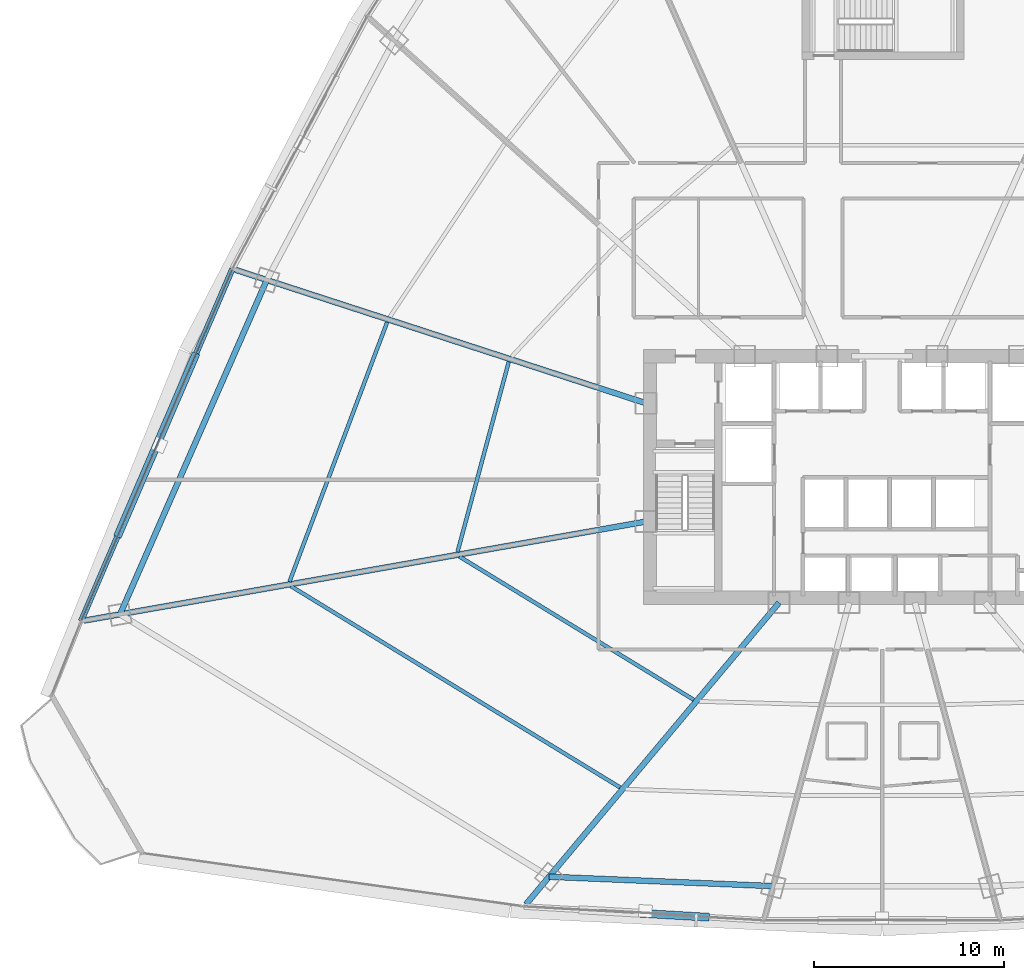
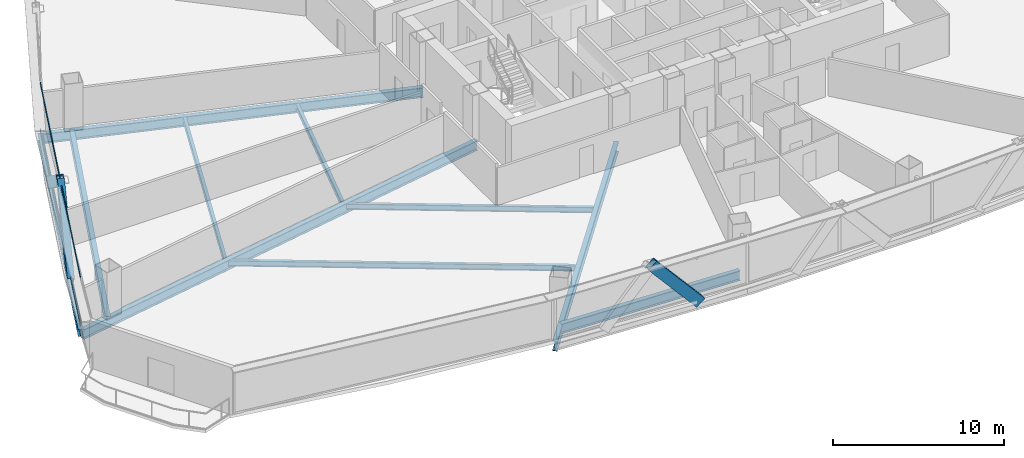
# One storey, part 7 of 38: 10 beams, 5 members, 1 element without a shape of its own.
"""IFC4 building model written with IfcOpenShell, lengths in metres."""

from ifc_helpers import new_model, si_unit, direction, frame, origin, origin_2d, place, context, subcontext, project, spatial, hollow_rectangle, i_section, extrude, source, transform, mapped, material, layer, layer_set, material_profile, profile_set, type_object, element, aggregate, save


model = new_model("IFC4")

# Units and contexts
model_context = context("Model", 3, precision=1e-05, world=origin(), true_north=direction((0.0, 1.0)))
body_context = subcontext(model_context, "Body", "Model", "MODEL_VIEW")
ifc_project = project(units=[si_unit("LENGTHUNIT", "METRE"), si_unit("AREAUNIT", "SQUARE_METRE"), si_unit("VOLUMEUNIT", "CUBIC_METRE"), si_unit("PLANEANGLEUNIT", "RADIAN"), si_unit("MASSUNIT", "GRAM", prefix="KILO"), si_unit("THERMODYNAMICTEMPERATUREUNIT", "KELVIN"), si_unit("POWERUNIT", "WATT")], contexts=[model_context])

# Site, building, storey
site_placement = place(None, origin())
site = spatial("IfcSite", under=ifc_project, at=site_placement, CompositionType="ELEMENT")
building_placement = place(site_placement, origin())
building = spatial("IfcBuilding", under=site, at=building_placement, Name="Yunzhuo Pagoda Commons", CompositionType="ELEMENT")
storey_placement = place(building_placement, frame((0.0, 0.0, 37.659912109375)))
storey = spatial("IfcBuildingStorey", under=building, at=storey_placement, Name="L09", CompositionType="ELEMENT", Elevation=37.659912109375)

# Beams
ifc_material_1 = material(Name="Structural steel Q355B", Category="steel")
ifc_material_profile_1 = material_profile(ifc_material_1, i_section(OverallWidth=0.300048828125, OverallDepth=0.699951171875, WebThickness=0.012939453125, FlangeThickness=0.02392578125, at=origin_2d()), Name="Structural steel Q355B")
ifc_profile_set_1 = profile_set([ifc_material_profile_1], Name="Structural steel Q355B")
beam_type_1 = type_object("IfcBeamType", Name="B-RG1 Beam HN 700x300x13x24", PredefinedType="BEAM", material=ifc_profile_set_1)
shared_shape_1 = source(origin(), body_context, "Body", "SweptSolid", [
    extrude(i_section(OverallWidth=0.300048828125, OverallDepth=0.699951171875, WebThickness=0.012939453125, FlangeThickness=0.02392578125, at=origin_2d()), origin(), (0.0, 0.0, 1.0), 11.7900390625),
])
beam_1_placement = place(storey_placement, frame((30.5, 12.844482421875, -0.60986328125), z_axis=(0.99912739354, -0.041766631146, 0.0), x_axis=(0.041766631146, 0.99912739354, 0.0)))
element("IfcBeam", 1, at=beam_1_placement, inside=storey, type_object=beam_type_1, Name="L09 column-ring beam 1", PredefinedType="BEAM", context=body_context, shape_type="MappedRepresentation", body=[
    mapped(shared_shape_1, transform((0.0, 0.0, 0.0), scale=1.0)),
])
shared_shape_2 = source(origin(), body_context, "Body", "SweptSolid", [
    extrude(i_section(OverallWidth=0.300048828125, OverallDepth=0.699951171875, WebThickness=0.012939453125, FlangeThickness=0.02392578125, at=origin_2d()), origin(), (0.0, 0.0, 1.0), 19.18603515625),
])
beam_2_placement = place(storey_placement, frame((15.66455078125, 44.206298828125, -0.60986328125), z_axis=(-0.40196534204, -0.915654882474, 0.0), x_axis=(0.915654882474, -0.40196534204, 0.0)))
element("IfcBeam", 2, at=beam_2_placement, inside=storey, type_object=beam_type_1, Name="L09 column-ring beam 11", PredefinedType="BEAM", context=body_context, shape_type="MappedRepresentation", body=[
    mapped(shared_shape_2, transform((0.0, 0.0, 0.0), scale=1.0)),
])
shared_shape_3 = source(origin(), body_context, "Body", "SweptSolid", [
    extrude(i_section(OverallWidth=0.300048828125, OverallDepth=0.699951171875, WebThickness=0.012939453125, FlangeThickness=0.02392578125, at=origin_2d()), origin(), (0.0, 0.0, 1.0), 20.693115234375),
])
beam_3_placement = place(storey_placement, frame((29.28662109375, 11.398193359375, -0.60986328125), z_axis=(0.642788302359, 0.766043861897, 0.0), x_axis=(-0.766043861897, 0.642788302359, 0.0)))
element("IfcBeam", 3, at=beam_3_placement, inside=storey, type_object=beam_type_1, Name="L09 radial floor girder F1C1", PredefinedType="BEAM", context=body_context, shape_type="MappedRepresentation", body=[
    mapped(shared_shape_3, transform((0.0, 0.0, 0.0), scale=1.0)),
])
shared_shape_4 = source(origin(), body_context, "Body", "SweptSolid", [
    extrude(i_section(OverallWidth=0.300048828125, OverallDepth=0.699951171875, WebThickness=0.012939453125, FlangeThickness=0.02392578125, at=origin_2d()), origin(), (0.0, 0.0, 1.0), 30.001708984375),
])
beam_4_placement = place(storey_placement, frame((6.05419921875, 26.3037109375, -0.60986328125), z_axis=(0.984807879934, 0.173647457857, 0.0), x_axis=(-0.173647457857, 0.984807879934, 0.0)))
element("IfcBeam", 4, at=beam_4_placement, inside=storey, type_object=beam_type_1, Name="L09 radial floor girder F3C4", PredefinedType="BEAM", context=body_context, shape_type="MappedRepresentation", body=[
    mapped(shared_shape_4, transform((0.0, 0.0, 0.0), scale=1.0)),
])
shared_shape_5 = source(origin(), body_context, "Body", "SweptSolid", [
    extrude(i_section(OverallWidth=0.300048828125, OverallDepth=0.699951171875, WebThickness=0.012939453125, FlangeThickness=0.02392578125, at=origin_2d()), origin(), (0.0, 0.0, 1.0), 22.70458984375),
])
beam_5_placement = place(storey_placement, frame((14.0068359375, 44.7451171875, -0.60986328125), z_axis=(0.951056034213, -0.309018478068, 0.0), x_axis=(0.309018478068, 0.951056034213, 0.0)))
element("IfcBeam", 5, at=beam_5_placement, inside=storey, type_object=beam_type_1, Name="L09 radial floor girder F3C3", PredefinedType="BEAM", context=body_context, shape_type="MappedRepresentation", body=[
    mapped(shared_shape_5, transform((0.0, 0.0, 0.0), scale=1.0)),
])
ifc_material_profile_2 = material_profile(ifc_material_1, i_section(OverallWidth=0.300048828125, OverallDepth=0.488037109375, WebThickness=0.010986328125, FlangeThickness=0.01806640625, at=origin_2d()), Name="Structural steel Q355B")
ifc_profile_set_2 = profile_set([ifc_material_profile_2], Name="Structural steel Q355B")
beam_type_2 = type_object("IfcBeamType", Name="B-SP1 Beam HM 488x300x11x18", PredefinedType="BEAM", material=ifc_profile_set_2)
shared_shape_6 = source(origin(), body_context, "Body", "SweptSolid", [
    extrude(i_section(OverallWidth=0.300048828125, OverallDepth=0.488037109375, WebThickness=0.010986328125, FlangeThickness=0.01806640625, at=origin_2d()), origin(), (0.0, 0.0, 1.0), 20.153564453125),
])
beam_6_placement = place(storey_placement, frame((13.859375, 44.79296875, -0.50390625), z_axis=(-0.39485772382, -0.918742280479, 0.0), x_axis=(0.918742280479, -0.39485772382, 0.0)))
element("IfcBeam", 6, at=beam_6_placement, inside=storey, type_object=beam_type_2, Name="L09 facade edge spandrel beam F3.3", PredefinedType="BEAM", context=body_context, shape_type="MappedRepresentation", body=[
    mapped(shared_shape_6, transform((0.0, 0.0, 0.0), scale=1.0)),
])
ifc_material_profile_3 = material_profile(ifc_material_1, i_section(OverallWidth=0.199951171875, OverallDepth=0.39990234375, WebThickness=0.008056640625, FlangeThickness=0.012939453125, at=origin_2d()), Name="Structural steel Q355B")
ifc_profile_set_3 = profile_set([ifc_material_profile_3], Name="Structural steel Q355B")
beam_type_3 = type_object("IfcBeamType", Name="B-JS1 Joist HN 400x200x8x13", PredefinedType="JOIST", material=ifc_profile_set_3)
shared_shape_7 = source(origin(), body_context, "Body", "SweptSolid", [
    extrude(i_section(OverallWidth=0.199951171875, OverallDepth=0.39990234375, WebThickness=0.008056640625, FlangeThickness=0.012939453125, at=origin_2d()), origin(), (0.0, 0.0, 1.0), 14.4365234375),
])
beam_7_placement = place(storey_placement, frame((25.782470703125, 29.675537109375, -0.4599609375), z_axis=(0.85325633277, -0.521491735876, 0.0), x_axis=(0.521491735876, 0.85325633277, 0.0)))
element("IfcBeam", 7, at=beam_7_placement, inside=storey, type_object=beam_type_3, Name="L09 composite ring joist 1.12", PredefinedType="JOIST", context=body_context, shape_type="MappedRepresentation", body=[
    mapped(shared_shape_7, transform((0.0, 0.0, 0.0), scale=1.0)),
])
shared_shape_8 = source(origin(), body_context, "Body", "SweptSolid", [
    extrude(i_section(OverallWidth=0.199951171875, OverallDepth=0.39990234375, WebThickness=0.008056640625, FlangeThickness=0.012939453125, at=origin_2d()), origin(), (0.0, 0.0, 1.0), 20.275634765625),
])
beam_8_placement = place(storey_placement, frame((16.935302734375, 28.11572265625, -0.4599609375), z_axis=(0.853102898066, -0.521742700295, 0.0), x_axis=(0.521742700295, 0.853102898066, 0.0)))
element("IfcBeam", 8, at=beam_8_placement, inside=storey, type_object=beam_type_3, Name="L09 composite ring joist 2.12", PredefinedType="JOIST", context=body_context, shape_type="MappedRepresentation", body=[
    mapped(shared_shape_8, transform((0.0, 0.0, 0.0), scale=1.0)),
])
shared_shape_9 = source(origin(), body_context, "Body", "SweptSolid", [
    extrude(i_section(OverallWidth=0.199951171875, OverallDepth=0.39990234375, WebThickness=0.008056640625, FlangeThickness=0.012939453125, at=origin_2d()), origin(), (0.0, 0.0, 1.0), 10.351806640625),
])
beam_9_placement = place(storey_placement, frame((28.3818359375, 39.9072265625, -0.4599609375), z_axis=(-0.260208595802, -0.965552425646, 0.0), x_axis=(0.965552425646, -0.260208595802, 0.0)))
element("IfcBeam", 9, at=beam_9_placement, inside=storey, type_object=beam_type_3, Name="L09 composite ring joist 1.11", PredefinedType="JOIST", context=body_context, shape_type="MappedRepresentation", body=[
    mapped(shared_shape_9, transform((0.0, 0.0, 0.0), scale=1.0)),
])
shared_shape_10 = source(origin(), body_context, "Body", "SweptSolid", [
    extrude(i_section(OverallWidth=0.199951171875, OverallDepth=0.39990234375, WebThickness=0.008056640625, FlangeThickness=0.012939453125, at=origin_2d()), origin(), (0.0, 0.0, 1.0), 14.571044921875),
])
beam_10_placement = place(storey_placement, frame((21.98779296875, 41.98486328125, -0.4599609375), z_axis=(-0.352208383632, -0.935921607027, 0.0), x_axis=(0.935921607027, -0.352208383632, 0.0)))
element("IfcBeam", 10, at=beam_10_placement, inside=storey, type_object=beam_type_3, Name="L09 composite ring joist 2.11", PredefinedType="JOIST", context=body_context, shape_type="MappedRepresentation", body=[
    mapped(shared_shape_10, transform((0.0, 0.0, 0.0), scale=1.0)),
])

# Members
ifc_material_2 = material(Name="Structural steel Q420B", Category="steel")
ifc_material_profile_4 = material_profile(ifc_material_2, hollow_rectangle(XDim=0.419921875, YDim=0.719970703125, WallThickness=0.028076171875, at=origin_2d()), Name="Structural steel Q420B")
ifc_profile_set_4 = profile_set([ifc_material_profile_4], Name="Structural steel Q420B")
member_type_1 = type_object("IfcMemberType", Name="M-DL1 Brace BOX 720x420x28", PredefinedType="BRACE", material=ifc_profile_set_4)
shared_shape_11 = source(origin(), body_context, "Body", "SweptSolid", [
    extrude(hollow_rectangle(XDim=0.419921875, YDim=0.719970703125, WallThickness=0.028076171875, at=origin_2d()), origin(), (0.0, 0.0, 1.0), 4.811279296875),
])
member_1_placement = place(storey_placement, frame((38.64404296875, 10.73095703125, -0.260009765625), z_axis=(-0.655196925234, 0.038006698962, 0.754501477797), x_axis=(-0.05791070349, -0.998321766978, 0.0)))
element("IfcMember", 11, at=member_1_placement, inside=storey, type_object=member_type_1, Name="L09 facade diamond brace F1.1R", PredefinedType="BRACE", context=body_context, shape_type="MappedRepresentation", body=[
    mapped(shared_shape_11, transform((0.0, 0.0, 0.0), scale=1.0)),
])
shared_shape_12 = source(origin(), body_context, "Body", "SweptSolid", [
    extrude(hollow_rectangle(XDim=0.419921875, YDim=0.719970703125, WallThickness=0.028076171875, at=origin_2d()), origin(), (0.0, 0.0, 1.0), 6.209716796875),
])
member_2_placement = place(storey_placement, frame((7.89111328125, 30.906005859375, -0.260009765625), z_axis=(0.320341166989, 0.745418326719, 0.58457938291), x_axis=(-0.918753575597, 0.394831441665, 0.0)))
element("IfcMember", 12, at=member_2_placement, inside=storey, type_object=member_type_1, Name="L09 facade diamond brace F3.3R", PredefinedType="BRACE", context=body_context, shape_type="MappedRepresentation", body=[
    mapped(shared_shape_12, transform((0.0, 0.0, 0.0), scale=1.0)),
])
shared_shape_13 = source(origin(), body_context, "Body", "SweptSolid", [
    extrude(hollow_rectangle(XDim=0.419921875, YDim=0.719970703125, WallThickness=0.028076171875, at=origin_2d()), origin(), (0.0, 0.0, 1.0), 6.210205078125),
])
member_3_placement = place(storey_placement, frame((11.869873046875, 40.164306640625, -0.260009765625), z_axis=(-0.32035767016, -0.745443875515, 0.584537758941), x_axis=(0.918751106015, -0.394837188214, 0.0)))
element("IfcMember", 13, at=member_3_placement, inside=storey, type_object=member_type_1, Name="L09 facade diamond brace F3.3L", PredefinedType="BRACE", context=body_context, shape_type="MappedRepresentation", body=[
    mapped(shared_shape_13, transform((0.0, 0.0, 0.0), scale=1.0)),
])

# Curtain wall, members
ifc_material_3 = material(Name="Anodized aluminium 6063-T6", Category="aluminium")
ifc_layer = layer(ifc_material_3, 0.1650390625)
ifc_layer_set = layer_set([ifc_layer], Name="Anodized aluminium 6063-T6")
curtain_wall_type = type_object("IfcCurtainWallType", Name="CW-LOW Low-Zone Ribbon Curtain Wall", PredefinedType="NOTDEFINED", material=ifc_layer_set)
curtain_wall_placement = place(storey_placement, origin())
curtain_wall = element("IfcCurtainWall", 14, at=curtain_wall_placement, inside=storey, type_object=curtain_wall_type, Name="L09 curtain wall CW-L09-F3B4", PredefinedType="NOTDEFINED")
ifc_material_profile_5 = material_profile(ifc_material_3, hollow_rectangle(XDim=0.06005859375, YDim=0.139892578125, WallThickness=0.00341796875, at=origin_2d()), Name="Anodized aluminium 6063-T6")
ifc_profile_set_5 = profile_set([ifc_material_profile_5], Name="Anodized aluminium 6063-T6")
member_type_2 = type_object("IfcMemberType", Name="CW-LOW-T Transom RHS 140x60x3.5", PredefinedType="USERDEFINED", material=ifc_profile_set_5)
shared_shape_14 = source(origin(), body_context, "Body", "SweptSolid", [
    extrude(hollow_rectangle(XDim=0.06005859375, YDim=0.139892578125, WallThickness=0.00341796875, at=origin_2d()), origin(), (0.0, 0.0, 1.0), 20.023681640625),
])
member_4_placement = place(storey_placement, frame((13.833740234375, 44.7333984375, 0.030029296875), z_axis=(-0.394854975911, -0.918743461473, 0.0), x_axis=(0.918743461473, -0.394854975911, 0.0)))
member_4 = element("IfcMember", 15, at=member_4_placement, type_object=member_type_2, Name="CW transom 1.1", ObjectType="TRANSOM", PredefinedType="USERDEFINED", context=body_context, shape_type="MappedRepresentation", body=[
    mapped(shared_shape_14, transform((0.0, 0.0, 0.0), scale=1.0)),
])
member_5_placement = place(storey_placement, frame((13.833740234375, 44.7333984375, 3.340087890625), z_axis=(-0.394854975911, -0.918743461473, 0.0), x_axis=(0.918743461473, -0.394854975911, 0.0)))
member_5 = element("IfcMember", 16, at=member_5_placement, type_object=member_type_2, Name="CW transom 1.2", ObjectType="TRANSOM", PredefinedType="USERDEFINED", context=body_context, shape_type="MappedRepresentation", body=[
    mapped(shared_shape_14, transform((0.0, 0.0, 0.0), scale=1.0)),
])
aggregate(curtain_wall, [member_4, member_5])

save(model, "model.ifc")
